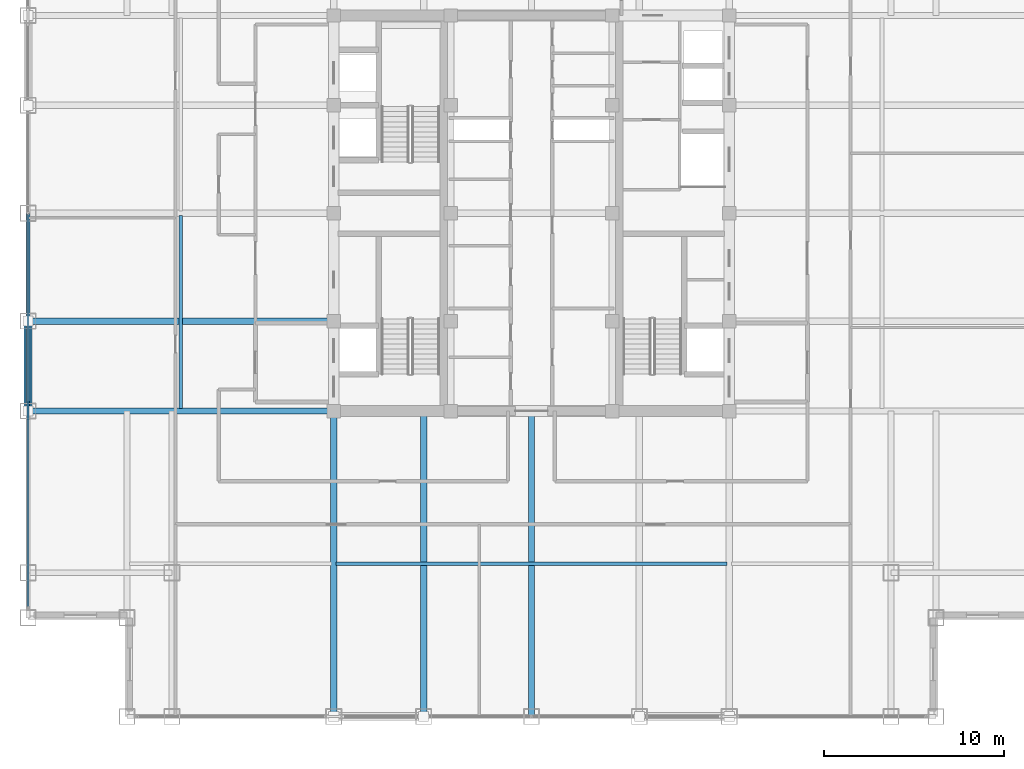
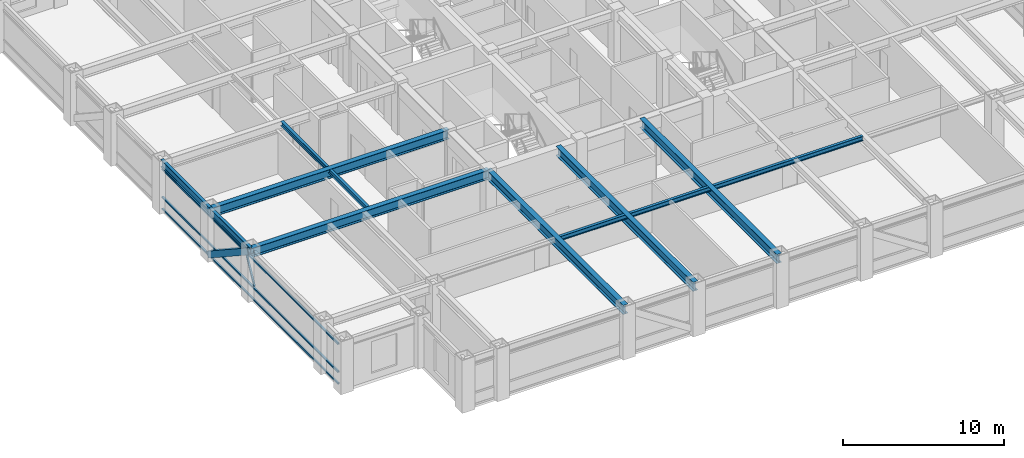
# One storey, part 5 of 22: 9 beams, 5 members, 1 element without a shape of its own.
"""IFC4 building model written with IfcOpenShell, lengths in metres."""

from ifc_helpers import new_model, si_unit, direction, frame, origin, origin_2d, place, context, subcontext, project, spatial, hollow_rectangle, i_section, extrude, source, transform, mapped, material, material_profile, profile_set, type_object, element, aggregate, save


model = new_model("IFC4")

# Units and contexts
model_context = context("Model", 3, precision=1e-05, world=origin(), true_north=direction((0.0, 1.0)))
body_context = subcontext(model_context, "Body", "Model", "MODEL_VIEW")
ifc_project = project(units=[si_unit("LENGTHUNIT", "METRE"), si_unit("AREAUNIT", "SQUARE_METRE"), si_unit("VOLUMEUNIT", "CUBIC_METRE"), si_unit("PLANEANGLEUNIT", "RADIAN"), si_unit("MASSUNIT", "GRAM", prefix="KILO")], contexts=[model_context])

# Site, building, storey
site_placement = place(None, origin())
site = spatial("IfcSite", under=ifc_project, at=site_placement, CompositionType="ELEMENT")
building_placement = place(site_placement, origin())
building = spatial("IfcBuilding", under=site, at=building_placement, Name="Khorayat Bourse Tower", CompositionType="ELEMENT")
storey_placement = place(building_placement, frame((0.0, 0.0, 309.5)))
storey = spatial("IfcBuildingStorey", under=building, at=storey_placement, Name="L73", CompositionType="ELEMENT", Elevation=309.5)

# Member
ifc_material_1 = material(Name="Steel EN 10025-4 S460M", Category="steel")
ifc_material_profile_1 = material_profile(ifc_material_1, hollow_rectangle(XDim=0.449951171875, YDim=0.449951171875, WallThickness=0.02490234375, at=origin_2d()), Name="HSS 450x450x25")
ifc_profile_set_1 = profile_set([ifc_material_profile_1], Name="Steel EN 10025-4 S460M")
member_type_1 = type_object("IfcMemberType", Name="MBR-TUBE-450", PredefinedType="BRACE", material=ifc_profile_set_1)
shared_shape_1 = source(origin(), body_context, "Body", "SweptSolid", [
    extrude(hollow_rectangle(XDim=0.449951171875, YDim=0.449951171875, WallThickness=0.02490234375, at=origin_2d()), origin(), (0.0, 0.0, 1.0), 5.979736328125),
])
member_1_placement = place(storey_placement, frame((-28.0, -11.0, 3.530029296875), z_axis=(0.0, 0.836141536525, -0.548513747227), x_axis=(-1.0, 0.0, 0.0)))
element("IfcMember", 1, at=member_1_placement, inside=storey, type_object=member_type_1, Name="L73 Perimeter Tube Brace 05", PredefinedType="BRACE", context=body_context, shape_type="MappedRepresentation", body=[
    mapped(shared_shape_1, transform((0.0, 0.0, 0.0), scale=1.0)),
])

# Beams
ifc_material_2 = material(Name="Steel ASTM A992 Grade 50", Category="steel")
ifc_material_profile_2 = material_profile(ifc_material_2, i_section(OverallWidth=0.35498046875, OverallDepth=0.695068359375, WebThickness=0.015380859375, FlangeThickness=0.02490234375, FilletRadius=0.01806640625, at=origin_2d()), Name="W690X217")
ifc_profile_set_2 = profile_set([ifc_material_profile_2], Name="Steel ASTM A992 Grade 50")
beam_type_1 = type_object("IfcBeamType", Name="BM-GIRD-690", PredefinedType="BEAM", material=ifc_profile_set_2)
shared_shape_2 = source(origin(), body_context, "Body", "SweptSolid", [
    extrude(i_section(OverallWidth=0.35498046875, OverallDepth=0.695068359375, WebThickness=0.015380859375, FlangeThickness=0.02490234375, FilletRadius=0.01806640625, at=origin_2d()), origin(), (0.0, 0.0, 1.0), 17.0),
])
for number, where, z_axis, x_axis, name in (
    (2, (-11.0, -28.0, 3.4326171875), (0.0, 1.0, 0.0), (-1.0, 0.0, 0.0), "L73 BM-GIRD-690 BM-L73-RADY-065"),
    (3, (-6.0, -28.0, 3.4326171875), (0.0, 1.0, 0.0), (-1.0, 0.0, 0.0), "L73 BM-GIRD-690 BM-L73-RADY-067"),
    (4, (0.0, -28.0, 3.4326171875), (0.0, 1.0, 0.0), (-1.0, 0.0, 0.0), "L73 BM-GIRD-690 BM-L73-RADY-069"),
    (5, (-28.0, -11.0, 3.4326171875), (1.0, 0.0, 0.0), (0.0, 1.0, 0.0), "L73 BM-GIRD-690 BM-L73-RADX-075"),
    (6, (-28.0, -6.0, 3.4326171875), (1.0, 0.0, 0.0), (0.0, 1.0, 0.0), "L73 BM-GIRD-690 BM-L73-RADX-077"),
):
    element("IfcBeam", number, at=place(storey_placement, frame(where, z_axis=z_axis, x_axis=x_axis)), inside=storey, type_object=beam_type_1, Name=name, PredefinedType="BEAM", context=body_context, shape_type="MappedRepresentation", body=[
        mapped(shared_shape_2, transform((0.0, 0.0, 0.0), scale=1.0)),
    ])
ifc_material_profile_3 = material_profile(ifc_material_2, i_section(OverallWidth=0.202880859375, OverallDepth=0.346923828125, WebThickness=0.0078125, FlangeThickness=0.013427734375, FilletRadius=0.010009765625, at=origin_2d()), Name="W360X64")
ifc_profile_set_3 = profile_set([ifc_material_profile_3], Name="Steel ASTM A992 Grade 50")
beam_type_2 = type_object("IfcBeamType", Name="BM-JOIST-360", PredefinedType="JOIST", material=ifc_profile_set_3)
shared_shape_3 = source(origin(), body_context, "Body", "SweptSolid", [
    extrude(i_section(OverallWidth=0.202880859375, OverallDepth=0.346923828125, WebThickness=0.0078125, FlangeThickness=0.013427734375, FilletRadius=0.010009765625, at=origin_2d()), origin(), (0.0, 0.0, 1.0), 21.740234375),
])
beam_1_placement = place(storey_placement, frame((-10.8701171875, -19.5, 3.6064453125), z_axis=(1.0, 0.0, 0.0), x_axis=(0.0, 1.0, 0.0)))
element("IfcBeam", 7, at=beam_1_placement, inside=storey, type_object=beam_type_2, Name="L73 BM-JOIST-360 BM-L73-JSTX-097", PredefinedType="JOIST", context=body_context, shape_type="MappedRepresentation", body=[
    mapped(shared_shape_3, transform((0.0, 0.0, 0.0), scale=1.0)),
])
shared_shape_4 = source(origin(), body_context, "Body", "SweptSolid", [
    extrude(i_section(OverallWidth=0.202880859375, OverallDepth=0.346923828125, WebThickness=0.0078125, FlangeThickness=0.013427734375, FilletRadius=0.010009765625, at=origin_2d()), origin(), (0.0, 0.0, 1.0), 10.740234375),
])
beam_2_placement = place(storey_placement, frame((-19.5, -10.8701171875, 3.6064453125), z_axis=(0.0, 1.0, 0.0), x_axis=(-1.0, 0.0, 0.0)))
element("IfcBeam", 8, at=beam_2_placement, inside=storey, type_object=beam_type_2, Name="L73 BM-JOIST-360 BM-L73-JSTY-102", PredefinedType="JOIST", context=body_context, shape_type="MappedRepresentation", body=[
    mapped(shared_shape_4, transform((0.0, 0.0, 0.0), scale=1.0)),
])
ifc_material_profile_4 = material_profile(ifc_material_2, i_section(OverallWidth=0.214111328125, OverallDepth=0.549072265625, WebThickness=0.0146484375, FlangeThickness=0.023681640625, FilletRadius=0.013916015625, at=origin_2d()), Name="W530X138")
ifc_profile_set_4 = profile_set([ifc_material_profile_4], Name="Steel ASTM A992 Grade 50")
beam_type_3 = type_object("IfcBeamType", Name="BM-SPAN-530", PredefinedType="SPANDREL", material=ifc_profile_set_4)
shared_shape_5 = source(origin(), body_context, "Body", "SweptSolid", [
    extrude(i_section(OverallWidth=0.214111328125, OverallDepth=0.549072265625, WebThickness=0.0146484375, FlangeThickness=0.023681640625, FilletRadius=0.013916015625, at=origin_2d()), origin(), (0.0, 0.0, 1.0), 5.0),
])
beam_3_placement = place(storey_placement, frame((-28.0, -11.0, 3.505615234375), z_axis=(0.0, 1.0, 0.0), x_axis=(-1.0, 0.0, 0.0)))
element("IfcBeam", 9, at=beam_3_placement, inside=storey, type_object=beam_type_3, Name="L73 BM-SPAN-530 BM-L73-SPN-059", PredefinedType="SPANDREL", context=body_context, shape_type="MappedRepresentation", body=[
    mapped(shared_shape_5, transform((0.0, 0.0, 0.0), scale=1.0)),
])
shared_shape_6 = source(origin(), body_context, "Body", "SweptSolid", [
    extrude(i_section(OverallWidth=0.214111328125, OverallDepth=0.549072265625, WebThickness=0.0146484375, FlangeThickness=0.023681640625, FilletRadius=0.013916015625, at=origin_2d()), origin(), (0.0, 0.0, 1.0), 6.0),
])
beam_4_placement = place(storey_placement, frame((-28.0, -6.0, 3.505615234375), z_axis=(0.0, 1.0, 0.0), x_axis=(-1.0, 0.0, 0.0)))
element("IfcBeam", 10, at=beam_4_placement, inside=storey, type_object=beam_type_3, Name="L73 BM-SPAN-530 BM-L73-SPN-058", PredefinedType="SPANDREL", context=body_context, shape_type="MappedRepresentation", body=[
    mapped(shared_shape_6, transform((0.0, 0.0, 0.0), scale=1.0)),
])

# Curtain wall, members
ifc_material_3 = material(Name="Aluminium EN AW-6063 T6", Category="aluminium")
curtain_wall_type = type_object("IfcCurtainWallType", Name="CW-SYS-04", PredefinedType="NOTDEFINED", material=ifc_material_3)
curtain_wall_placement = place(storey_placement, origin())
curtain_wall = element("IfcCurtainWall", 11, at=curtain_wall_placement, inside=storey, type_object=curtain_wall_type, Name="L73 Curtain Wall CW-L73-W1", PredefinedType="NOTDEFINED")
ifc_material_profile_5 = material_profile(ifc_material_3, hollow_rectangle(XDim=0.1201171875, YDim=0.1201171875, WallThickness=0.0048828125, at=origin_2d()), Name="ALU 120x120x5")
ifc_profile_set_5 = profile_set([ifc_material_profile_5], Name="Aluminium EN AW-6063 T6")
member_type_2 = type_object("IfcMemberType", Name="CWM-DIAG-120", PredefinedType="MULLION", material=ifc_profile_set_5)
shared_shape_7 = source(origin(), body_context, "Body", "SweptSolid", [
    extrude(hollow_rectangle(XDim=0.1201171875, YDim=0.1201171875, WallThickness=0.0048828125, at=origin_2d()), origin(), (0.0, 0.0, 1.0), 2.0791015625),
])
member_2_placement = place(storey_placement, frame((-28.0, -11.4541015625, 1.090087890625), z_axis=(0.0, 0.465717394116, 0.884933505309), x_axis=(-1.0, 0.0, 0.0)))
member_2 = element("IfcMember", 12, at=member_2_placement, type_object=member_type_2, Name="CW-L73-W1 Faceted Diagonal Mullion 1", PredefinedType="MULLION", context=body_context, shape_type="MappedRepresentation", body=[
    mapped(shared_shape_7, transform((0.0, 0.0, 0.0), scale=1.0)),
])
ifc_material_profile_6 = material_profile(ifc_material_3, hollow_rectangle(XDim=0.1201171875, YDim=0.1201171875, WallThickness=0.0048828125, at=origin_2d()), Name="ALU 120x120x5")
ifc_profile_set_6 = profile_set([ifc_material_profile_6], Name="Aluminium EN AW-6063 T6")
member_type_3 = type_object("IfcMemberType", Name="CWT-HORZ-120", PredefinedType="USERDEFINED", material=ifc_profile_set_6)
shared_shape_8 = source(origin(), body_context, "Body", "SweptSolid", [
    extrude(hollow_rectangle(XDim=0.1201171875, YDim=0.1201171875, WallThickness=0.0048828125, at=origin_2d()), origin(), (0.0, 0.0, 1.0), 21.81982421875),
])
member_3_placement = place(storey_placement, frame((-28.0, -21.8798828125, 0.06005859375), z_axis=(0.0, 1.0, 0.0), x_axis=(-1.0, 0.0, 0.0)))
member_3 = element("IfcMember", 13, at=member_3_placement, type_object=member_type_3, Name="CW-L73-W1 Horizontal Transom 1-1", ObjectType="TRANSOM", PredefinedType="USERDEFINED", context=body_context, shape_type="MappedRepresentation", body=[
    mapped(shared_shape_8, transform((0.0, 0.0, 0.0), scale=1.0)),
])
member_4_placement = place(storey_placement, frame((-28.0, -21.8798828125, 0.949951171875), z_axis=(0.0, 1.0, 0.0), x_axis=(-1.0, 0.0, 0.0)))
member_4 = element("IfcMember", 14, at=member_4_placement, type_object=member_type_3, Name="CW-L73-W1 Horizontal Transom 1-2", ObjectType="TRANSOM", PredefinedType="USERDEFINED", context=body_context, shape_type="MappedRepresentation", body=[
    mapped(shared_shape_8, transform((0.0, 0.0, 0.0), scale=1.0)),
])
member_5_placement = place(storey_placement, frame((-28.0, -21.8798828125, 3.070068359375), z_axis=(0.0, 1.0, 0.0), x_axis=(-1.0, 0.0, 0.0)))
member_5 = element("IfcMember", 15, at=member_5_placement, type_object=member_type_3, Name="CW-L73-W1 Horizontal Transom 1-3", ObjectType="TRANSOM", PredefinedType="USERDEFINED", context=body_context, shape_type="MappedRepresentation", body=[
    mapped(shared_shape_8, transform((0.0, 0.0, 0.0), scale=1.0)),
])
aggregate(curtain_wall, [member_3, member_4, member_5, member_2])

save(model, "model.ifc")
